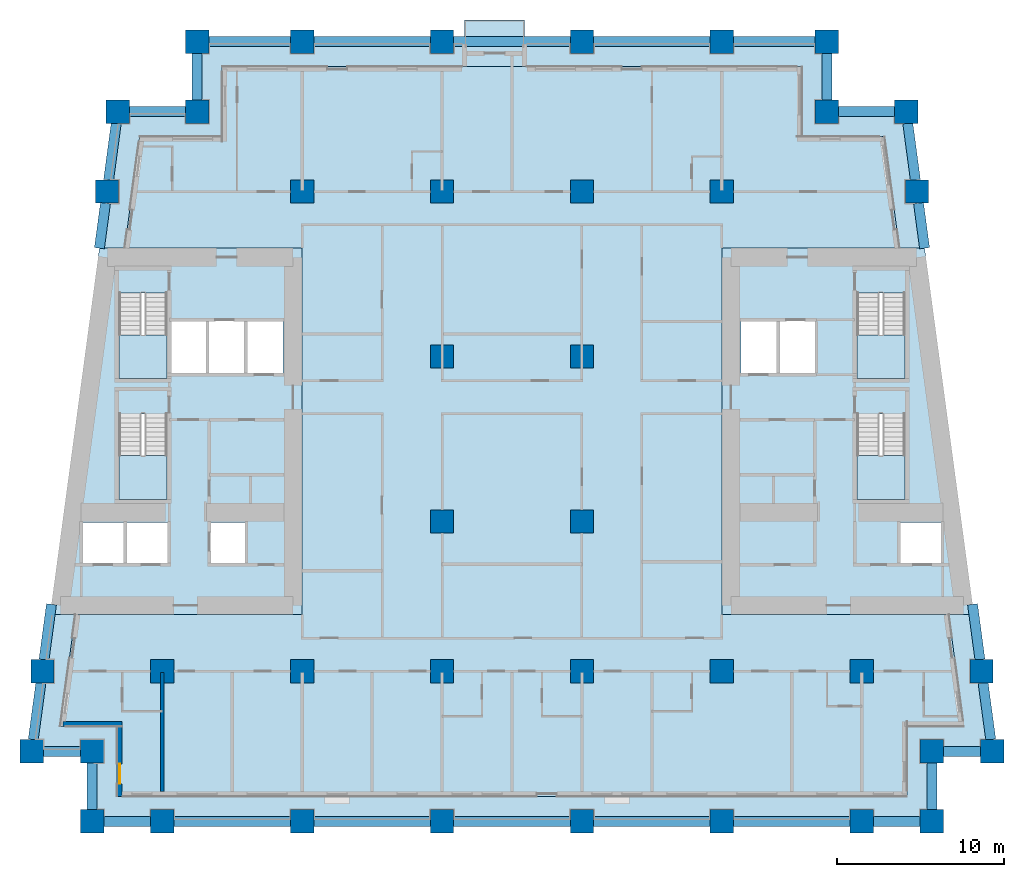
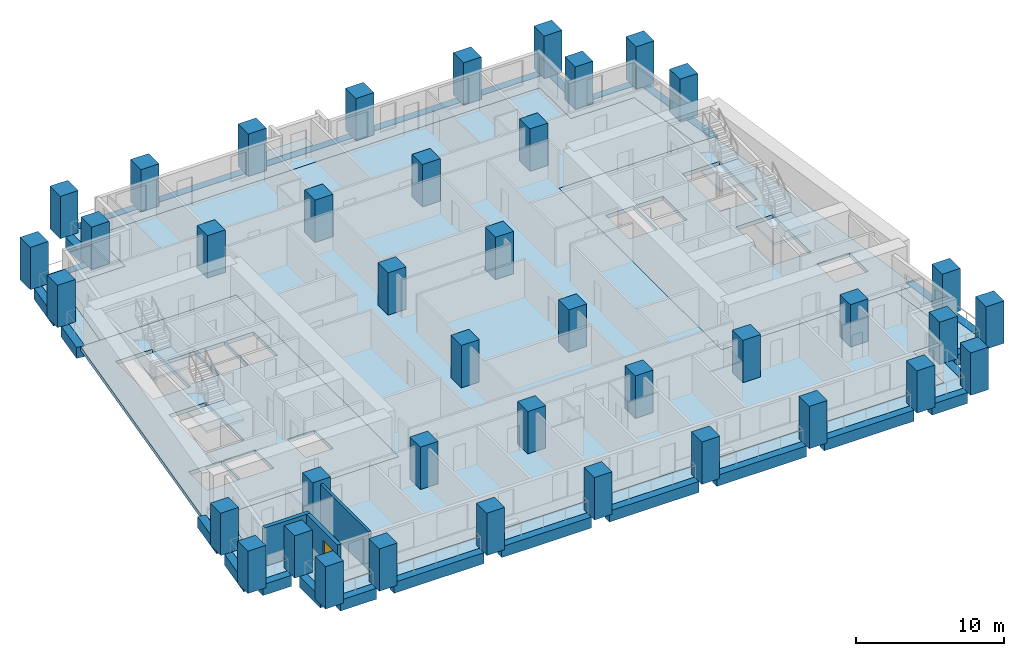
# One storey, part 1 of 12: 40 columns, 28 beams, 10 slabs, 3 walls, 1 door, 1 opening, 4 elements without a shape of their own.
"""IFC4 building model written with IfcOpenShell, lengths in metres."""

import ifcopenshell
import ifcopenshell.guid

model = None  # the IFC model being written
_history = None  # IfcOwnerHistory: only IFC2X3 demands one
_inside = {}  # id of a spatial element -> (the spatial element, [elements in it])
_under = {}  # id of a project, library or spatial element -> (it, [spatial elements below it])
_declared = {}  # id of a project -> (the project, [libraries it declares])
_typed = {}  # id of a type object -> (the type object, [elements of that type])
_made_of = {}  # id of a material, layer set ... -> (it, [elements and type objects made of it])


def new_model(schema):
    """Start an empty IFC model of exactly this schema.

    Asked for "IFC4X3", IfcOpenShell would pick the latest addendum, in which some entities
    have other attributes; the version numbers below select the first issue.
    IFC2X3 requires an IfcOwnerHistory on every rooted entity: one is made here for all.
    """
    global model, _history
    if schema == "IFC4X3":
        model = ifcopenshell.file(schema_version=(4, 3, 0, 0))
    else:
        model = ifcopenshell.file(schema=schema)
    _inside.clear()
    _under.clear()
    _declared.clear()
    _typed.clear()
    _made_of.clear()
    _history = None
    if model.schema == "IFC2X3":
        org = make("IfcOrganization", Name="unknown")
        user = make(
            "IfcPersonAndOrganization",
            ThePerson=make("IfcPerson", FamilyName="unknown"),
            TheOrganization=org,
        )
        app = make(
            "IfcApplication",
            ApplicationDeveloper=org,
            Version="unknown",
            ApplicationFullName="unknown",
            ApplicationIdentifier="unknown",
        )
        _history = make(
            "IfcOwnerHistory",
            OwningUser=user,
            OwningApplication=app,
            ChangeAction="ADDED",
            CreationDate=0,
        )
    return model


def make(cls, **values):
    """One entity of the class cls with the attributes given. An attribute that is None is left unset."""
    return model.create_entity(
        cls, **{name: value for name, value in values.items() if value is not None}
    )


def rooted(cls, **values):
    """An entity with a GlobalId (a new one), such as an element, a storey or a relation."""
    return make(cls, GlobalId=ifcopenshell.guid.new(), OwnerHistory=_history, **values)


def si_unit(unit_type, name, prefix=None):
    """IfcSIUnit, for example si_unit("LENGTHUNIT", "METRE", prefix="MILLI")."""
    return make("IfcSIUnit", UnitType=unit_type, Prefix=prefix, Name=name)


def assignment(units):
    """IfcUnitAssignment: the units of a project."""
    return None if units is None else make("IfcUnitAssignment", Units=units)


def point(xyz):
    """IfcCartesianPoint."""
    return None if xyz is None else make("IfcCartesianPoint", Coordinates=xyz)


def direction(xyz):
    """IfcDirection."""
    return None if xyz is None else make("IfcDirection", DirectionRatios=xyz)


def frame(location, z_axis=None, x_axis=None):
    """IfcAxis2Placement3D, a coordinate frame: its origin and axes. An axis left out is left unset."""
    return make(
        "IfcAxis2Placement3D",
        Location=point(location),
        Axis=direction(z_axis),
        RefDirection=direction(x_axis),
    )


def frame_2d(location, x_axis=None):
    """IfcAxis2Placement2D, a coordinate frame in the plane: its origin and x axis."""
    return make(
        "IfcAxis2Placement2D", Location=point(location), RefDirection=direction(x_axis)
    )


def origin():
    """The frame at (0, 0, 0) with its axes left unset."""
    return frame((0.0, 0.0, 0.0))


def origin_2d():
    """The frame at (0, 0) in the plane with its x axis left unset."""
    return frame_2d((0.0, 0.0))


def place(relative_to, where):
    """IfcLocalPlacement: puts the frame where relative to a parent placement (None: the world)."""
    return make(
        "IfcLocalPlacement", PlacementRelTo=relative_to, RelativePlacement=where
    )


def context(
    kind, dimensions, precision=None, world=None, true_north=None, identifier=None
):
    """IfcGeometricRepresentationContext, for example the 3D "Model" context."""
    return make(
        "IfcGeometricRepresentationContext",
        ContextIdentifier=identifier,
        ContextType=kind,
        CoordinateSpaceDimension=dimensions,
        Precision=precision,
        WorldCoordinateSystem=world,
        TrueNorth=true_north,
    )


def subcontext(parent, identifier, kind, view, scale=None):
    """IfcGeometricRepresentationSubContext, for example "Body" below "Model"."""
    return make(
        "IfcGeometricRepresentationSubContext",
        ContextIdentifier=identifier,
        ContextType=kind,
        ParentContext=parent,
        TargetScale=scale,
        TargetView=view,
    )


def project(units=None, contexts=None):
    """IfcProject with its units and contexts."""
    return rooted(
        "IfcProject",
        Name="project",
        RepresentationContexts=contexts,
        UnitsInContext=assignment(units),
    )


def spatial(cls, under=None, at=None, **own):
    """A site, building, storey or space (cls), placed at a placement, below another one or the project."""
    s = rooted(cls, ObjectPlacement=at, **own)
    if under is not None:
        _under.setdefault(under.id(), (under, []))[1].append(s)
    return s


def polyline(points):
    """IfcPolyline through the points."""
    return make("IfcPolyline", Points=[point(p) for p in points])


def profile(cls, at=None, kind="AREA", **sizes):
    """A parametric profile (cls). Its sizes go by their IFC names, for example OverallWidth=200.0."""
    return make(cls, ProfileType=kind, Position=at, **sizes)


def rectangle(**sizes):
    """IfcRectangleProfileDef."""
    return profile("IfcRectangleProfileDef", **sizes)


def outline(outer, holes=None, kind="AREA"):
    """IfcArbitraryClosedProfileDef: a profile drawn as a closed curve; with holes, ...WithVoids."""
    if holes is None:
        return make("IfcArbitraryClosedProfileDef", ProfileType=kind, OuterCurve=outer)
    return make(
        "IfcArbitraryProfileDefWithVoids",
        ProfileType=kind,
        OuterCurve=outer,
        InnerCurves=holes,
    )


def extrude(swept, where, along, depth):
    """IfcExtrudedAreaSolid: the profile swept, set in the frame where, extruded along a direction by depth."""
    return make(
        "IfcExtrudedAreaSolid",
        SweptArea=swept,
        Position=where,
        ExtrudedDirection=direction(along),
        Depth=depth,
    )


def shape(context_of_items, identifier, shape_type, items):
    """IfcShapeRepresentation: the items that make up one representation, for example the "Body"."""
    return make(
        "IfcShapeRepresentation",
        ContextOfItems=context_of_items,
        RepresentationIdentifier=identifier,
        RepresentationType=shape_type,
        Items=items,
    )


def material(Name=None, Category=None):
    """IfcMaterial."""
    return make("IfcMaterial", Name=Name, Category=Category)


def layer(
    of_material, thickness, ventilated=None, Name=None, Category=None, Priority=None
):
    """IfcMaterialLayer: one layer of a wall or slab, of a material (None: an air gap)."""
    return make(
        "IfcMaterialLayer",
        Material=of_material,
        LayerThickness=thickness,
        IsVentilated=ventilated,
        Name=Name,
        Category=Category,
        Priority=Priority,
    )


def layer_set(layers, Name=None):
    """IfcMaterialLayerSet."""
    return make("IfcMaterialLayerSet", MaterialLayers=layers, LayerSetName=Name)


def material_profile(
    of_material, cross_section, Name=None, Category=None, Priority=None
):
    """IfcMaterialProfile: a cross section and its material."""
    return make(
        "IfcMaterialProfile",
        Name=Name,
        Material=of_material,
        Profile=cross_section,
        Priority=Priority,
        Category=Category,
    )


def profile_set(profiles, Name=None, composite=None):
    """IfcMaterialProfileSet."""
    return make(
        "IfcMaterialProfileSet",
        Name=Name,
        MaterialProfiles=profiles,
        CompositeProfile=composite,
    )


def made_of(thing, what):
    """Note that an element or type object is made of a material, layer set ...; save() writes the relation."""
    if what is not None:
        _made_of.setdefault(what.id(), (what, []))[1].append(thing)
    return thing


def type_object(cls, material=None, **own):
    """A type object (cls), such as IfcWallType, which elements share."""
    return made_of(rooted(cls, **own), material)


def element(
    cls,
    number,
    at=None,
    inside=None,
    cuts=None,
    type_object=None,
    material=None,
    context=None,
    identifier="Body",
    shape_type=None,
    held_by="IfcProductDefinitionShape",
    body=None,
    shapes=None,
    **own,
):
    """One element of the class cls, such as IfcWall. Its Tag is "e" and its number.

    at: its placement. inside: the storey or other place that contains it. cuts: it is an
    opening in that element (IfcRelVoidsElement). A single representation is given by context,
    identifier, shape_type and body (its items); several are given by shapes. held_by: the class
    of the entity that holds the representations. save() writes the other relations.
    """
    e = rooted(cls, Tag="e%d" % number, ObjectPlacement=at, **own)
    if body is not None:
        shapes = [shape(context, identifier, shape_type, body)]
    if shapes is not None:
        e.Representation = make(held_by, Representations=shapes)
    if inside is not None:
        _inside.setdefault(inside.id(), (inside, []))[1].append(e)
    if cuts is not None:
        rooted(
            "IfcRelVoidsElement", RelatingBuildingElement=cuts, RelatedOpeningElement=e
        )
    if type_object is not None:
        _typed.setdefault(type_object.id(), (type_object, []))[1].append(e)
    return made_of(e, material)


def fill(opening, filler):
    """IfcRelFillsElement: the door or window that sits in an opening."""
    return rooted(
        "IfcRelFillsElement",
        RelatingOpeningElement=opening,
        RelatedBuildingElement=filler,
    )


def aggregate(whole, parts):
    """IfcRelAggregates: a whole, such as a stair, and the parts it consists of."""
    return rooted("IfcRelAggregates", RelatingObject=whole, RelatedObjects=parts)


def save(model, path):
    """Write the relations noted so far, then the file.

    IfcRelAggregates (storeys below a building ...), IfcRelContainedInSpatialStructure (elements
    in a storey), IfcRelDefinesByType, IfcRelAssociatesMaterial and IfcRelDeclares: one each for
    every whole, place, type object, material and project.
    """
    for whole, parts in _under.values():
        aggregate(whole, parts)
    for where, things in _inside.values():
        rooted(
            "IfcRelContainedInSpatialStructure",
            RelatedElements=things,
            RelatingStructure=where,
        )
    for kind, things in _typed.values():
        rooted("IfcRelDefinesByType", RelatedObjects=things, RelatingType=kind)
    for what, things in _made_of.values():
        rooted("IfcRelAssociatesMaterial", RelatedObjects=things, RelatingMaterial=what)
    for by, libraries in _declared.values():
        rooted("IfcRelDeclares", RelatingContext=by, RelatedDefinitions=libraries)
    model.write(path)


model = new_model("IFC4")

# Units and contexts
model_context = context("Model", 3, precision=1e-05, world=origin(), true_north=direction((0.0, 1.0)))
body_context = subcontext(model_context, "Body", "Model", "MODEL_VIEW")
ifc_project = project(units=[si_unit("LENGTHUNIT", "METRE"), si_unit("AREAUNIT", "SQUARE_METRE"), si_unit("VOLUMEUNIT", "CUBIC_METRE"), si_unit("PLANEANGLEUNIT", "RADIAN"), si_unit("MASSUNIT", "GRAM", prefix="KILO")], contexts=[model_context])

# Site, building, storey
site_placement = place(None, origin())
site = spatial("IfcSite", under=ifc_project, at=site_placement, CompositionType="ELEMENT")
building_placement = place(site_placement, origin())
building = spatial("IfcBuilding", under=site, at=building_placement, Name="Candeia Pilgrim Tower and Theatre", CompositionType="ELEMENT")
storey_placement = place(building_placement, frame((0.0, 0.0, 46.0)))
storey = spatial("IfcBuildingStorey", under=building, at=storey_placement, Name="L08", CompositionType="ELEMENT", Elevation=46.0)

# Columns
ifc_material_1 = material(Name="Concrete C80/95", Category="concrete")
ifc_material_profile_1 = material_profile(ifc_material_1, rectangle(XDim=1.39990234375, YDim=1.39990234375, at=origin_2d()))
ifc_profile_set_1 = profile_set([ifc_material_profile_1], Name="Concrete C80/95")
column_type = type_object("IfcColumnType", Name="RC 1400x1400 C80/95", PredefinedType="COLUMN", material=ifc_profile_set_1)
for number, where, z_axis, x_axis, name in (
    (1, (92.39990234375, 98.0, 0.0), (0.0, 0.0, 1.0), (1.0, 0.0, 0.0), "Column A1"),
    (2, (100.800048828125, 98.0, 0.0), (0.0, 0.0, 1.0), (1.0, 0.0, 0.0), "Column A2"),
    (3, (109.199951171875, 98.0, 0.0), (0.0, 0.0, 1.0), (1.0, 0.0, 0.0), "Column A3"),
    (4, (117.60009765625, 98.0, 0.0), (0.0, 0.0, 1.0), (1.0, 0.0, 0.0), "Column A4"),
    (5, (126.0, 98.0, 0.0), (0.0, 0.0, 1.0), (1.0, 0.0, 0.0), "Column A5"),
    (6, (134.39990234375, 98.0, 0.0), (0.0, 0.0, 1.0), (1.0, 0.0, 0.0), "Column A6"),
    (7, (88.199951171875, 98.0, 0.0), (0.0, 0.0, 1.0), (1.0, 0.0, 0.0), "Column AW"),
    (8, (138.60009765625, 98.0, 0.0), (0.0, 0.0, 1.0), (1.0, 0.0, 0.0), "Column AE"),
    (9, (88.199951171875, 102.199951171875, 0.0), (0.0, 0.0, 1.0), (1.0, 0.0, 0.0), "Column NSW"),
    (10, (138.60009765625, 102.199951171875, 0.0), (0.0, 0.0, 1.0), (1.0, 0.0, 0.0), "Column NSE"),
    (11, (94.5, 140.60009765625, 0.0), (0.0, 0.0, 1.0), (1.0, 0.0, 0.0), "Column NNW"),
    (12, (132.300048828125, 140.60009765625, 0.0), (0.0, 0.0, 1.0), (1.0, 0.0, 0.0), "Column NNE"),
    (13, (84.5654296875, 102.199951171875, 0.0), (0.0, 0.0, 1.0), (1.0, 0.0, 0.0), "Column LSW"),
    (14, (142.234619140625, 102.199951171875, 0.0), (0.0, 0.0, 1.0), (1.0, 0.0, 0.0), "Column LSE"),
    (15, (89.734619140625, 140.60009765625, 0.0), (0.0, 0.0, 1.0), (1.0, 0.0, 0.0), "Column LNW"),
    (16, (137.0654296875, 140.60009765625, 0.0), (0.0, 0.0, 1.0), (1.0, 0.0, 0.0), "Column LNE"),
    (17, (92.39990234375, 107.0, 0.0), (0.0, 0.0, 1.0), (1.0, 0.0, 0.0), "Column B1"),
    (18, (100.800048828125, 107.0, 0.0), (0.0, 0.0, 1.0), (1.0, 0.0, 0.0), "Column B2"),
    (19, (109.199951171875, 107.0, 0.0), (0.0, 0.0, 1.0), (1.0, 0.0, 0.0), "Column B3"),
    (20, (117.60009765625, 107.0, 0.0), (0.0, 0.0, 1.0), (1.0, 0.0, 0.0), "Column B4"),
    (21, (126.0, 107.0, 0.0), (0.0, 0.0, 1.0), (1.0, 0.0, 0.0), "Column B5"),
    (22, (134.39990234375, 107.0, 0.0), (0.0, 0.0, 1.0), (1.0, 0.0, 0.0), "Column B6"),
    (23, (85.21142578125, 107.0, 0.0), (0.0, 0.0, 1.0), (1.0, 0.0, 0.0), "Column BW"),
    (24, (141.58837890625, 107.0, 0.0), (0.0, 0.0, 1.0), (1.0, 0.0, 0.0), "Column BE"),
    (25, (109.199951171875, 116.0, 0.0), (0.0, 0.0, 1.0), (1.0, 0.0, 0.0), "Column C3"),
    (26, (117.60009765625, 116.0, 0.0), (0.0, 0.0, 1.0), (1.0, 0.0, 0.0), "Column C4"),
    (27, (109.199951171875, 125.89990234375, 0.0), (0.0, 0.0, 1.0), (1.0, 0.0, 0.0), "Column D3"),
    (28, (117.60009765625, 125.89990234375, 0.0), (0.0, 0.0, 1.0), (1.0, 0.0, 0.0), "Column D4"),
    (29, (100.800048828125, 135.800048828125, 0.0), (0.0, 0.0, 1.0), (1.0, 0.0, 0.0), "Column E2"),
    (30, (109.199951171875, 135.800048828125, 0.0), (0.0, 0.0, 1.0), (1.0, 0.0, 0.0), "Column E3"),
    (31, (117.60009765625, 135.800048828125, 0.0), (0.0, 0.0, 1.0), (1.0, 0.0, 0.0), "Column E4"),
    (32, (126.0, 135.800048828125, 0.0), (0.0, 0.0, 1.0), (1.0, 0.0, 0.0), "Column E5"),
    (33, (89.08837890625, 135.800048828125, 0.0), (0.0, 0.0, 1.0), (1.0, 0.0, 0.0), "Column EW"),
    (34, (137.71142578125, 135.800048828125, 0.0), (0.0, 0.0, 1.0), (1.0, 0.0, 0.0), "Column EE"),
    (35, (100.800048828125, 144.800048828125, 0.0), (0.0, 0.0, 1.0), (1.0, 0.0, 0.0), "Column F2"),
    (36, (109.199951171875, 144.800048828125, 0.0), (0.0, 0.0, 1.0), (1.0, 0.0, 0.0), "Column F3"),
    (37, (117.60009765625, 144.800048828125, 0.0), (0.0, 0.0, 1.0), (1.0, 0.0, 0.0), "Column F4"),
    (38, (126.0, 144.800048828125, 0.0), (0.0, 0.0, 1.0), (1.0, 0.0, 0.0), "Column F5"),
    (39, (94.5, 144.800048828125, 0.0), (0.0, 0.0, 1.0), (1.0, 0.0, 0.0), "Column FW"),
    (40, (132.300048828125, 144.800048828125, 0.0), (0.0, 0.0, 1.0), (1.0, 0.0, 0.0), "Column FE"),
):
    element("IfcColumn", number, at=place(storey_placement, frame(where, z_axis=z_axis, x_axis=x_axis)), inside=storey, type_object=column_type, Name=name, PredefinedType="COLUMN", context=body_context, shape_type="SweptSolid", body=[
        extrude(rectangle(XDim=1.39990234375, YDim=1.39990234375, at=origin_2d()), origin(), (0.0, 0.0, 1.0), 3.5),
    ])

# Beams
ifc_material_profile_2 = material_profile(ifc_material_1, rectangle(XDim=0.60009765625, YDim=0.89990234375, at=origin_2d()))
ifc_profile_set_2 = profile_set([ifc_material_profile_2], Name="Concrete C80/95")
beam_type = type_object("IfcBeamType", Name="RC 600x900 C80/95", PredefinedType="BEAM", material=ifc_profile_set_2)
beam_1_placement = place(storey_placement, frame((88.89990234375, 98.0, -0.449951171875), z_axis=(1.0, 0.0, 0.0), x_axis=(0.0, 1.0, 0.0)))
element("IfcBeam", 41, at=beam_1_placement, inside=storey, type_object=beam_type, Name="Spandrel beam L08-01", PredefinedType="BEAM", context=body_context, shape_type="SweptSolid", body=[
    extrude(rectangle(XDim=0.60009765625, YDim=0.89990234375, at=origin_2d()), origin(), (0.0, 0.0, 1.0), 2.800048828125),
])
for number, where, z_axis, x_axis, name in (
    (42, (93.10009765625, 98.0, -0.449951171875), (1.0, 0.0, 0.0), (0.0, 1.0, 0.0), "Spandrel beam L08-02"),
    (43, (101.5, 98.0, -0.449951171875), (1.0, 0.0, 0.0), (0.0, 1.0, 0.0), "Spandrel beam L08-03"),
    (44, (109.89990234375, 98.0, -0.449951171875), (1.0, 0.0, 0.0), (0.0, 1.0, 0.0), "Spandrel beam L08-04"),
    (45, (118.300048828125, 98.0, -0.449951171875), (1.0, 0.0, 0.0), (0.0, 1.0, 0.0), "Spandrel beam L08-05"),
    (46, (126.699951171875, 98.0, -0.449951171875), (1.0, 0.0, 0.0), (0.0, 1.0, 0.0), "Spandrel beam L08-06"),
):
    element("IfcBeam", number, at=place(storey_placement, frame(where, z_axis=z_axis, x_axis=x_axis)), inside=storey, type_object=beam_type, Name=name, PredefinedType="BEAM", context=body_context, shape_type="SweptSolid", body=[
        extrude(rectangle(XDim=0.60009765625, YDim=0.89990234375, at=origin_2d()), origin(), (0.0, 0.0, 1.0), 7.0),
    ])
beam_2_placement = place(storey_placement, frame((135.10009765625, 98.0, -0.449951171875), z_axis=(1.0, 0.0, 0.0), x_axis=(0.0, 1.0, 0.0)))
element("IfcBeam", 47, at=beam_2_placement, inside=storey, type_object=beam_type, Name="Spandrel beam L08-07", PredefinedType="BEAM", context=body_context, shape_type="SweptSolid", body=[
    extrude(rectangle(XDim=0.60009765625, YDim=0.89990234375, at=origin_2d()), origin(), (0.0, 0.0, 1.0), 2.7998046875),
])
beam_3_placement = place(storey_placement, frame((138.60009765625, 98.699951171875, -0.449951171875), z_axis=(0.0, 1.0, 0.0), x_axis=(-1.0, 0.0, 0.0)))
element("IfcBeam", 48, at=beam_3_placement, inside=storey, type_object=beam_type, Name="Spandrel beam L08-08", PredefinedType="BEAM", context=body_context, shape_type="SweptSolid", body=[
    extrude(rectangle(XDim=0.60009765625, YDim=0.89990234375, at=origin_2d()), origin(), (0.0, 0.0, 1.0), 2.800048828125),
])
beam_4_placement = place(storey_placement, frame((139.300048828125, 102.199951171875, -0.449951171875), z_axis=(1.0, 0.0, 0.0), x_axis=(0.0, 1.0, 0.0)))
element("IfcBeam", 49, at=beam_4_placement, inside=storey, type_object=beam_type, Name="Spandrel beam L08-09", PredefinedType="BEAM", context=body_context, shape_type="SweptSolid", body=[
    extrude(rectangle(XDim=0.60009765625, YDim=0.89990234375, at=origin_2d()), origin(), (0.0, 0.0, 1.0), 2.234619140625),
])
beam_5_placement = place(storey_placement, frame((142.140380859375, 102.89990234375, -0.449951171875), z_axis=(-0.133426797477, 0.991058671177, 0.0), x_axis=(-0.991058671177, -0.133426797477, 0.0)))
element("IfcBeam", 50, at=beam_5_placement, inside=storey, type_object=beam_type, Name="Spandrel beam L08-10", PredefinedType="BEAM", context=body_context, shape_type="SweptSolid", body=[
    extrude(rectangle(XDim=0.60009765625, YDim=0.89990234375, at=origin_2d()), origin(), (0.0, 0.0, 1.0), 3.430908203125),
])
beam_6_placement = place(storey_placement, frame((141.494140625, 107.699951171875, -0.449951171875), z_axis=(-0.13337488337, 0.991065659019, 0.0), x_axis=(-0.991065659019, -0.13337488337, 0.0)))
element("IfcBeam", 51, at=beam_6_placement, inside=storey, type_object=beam_type, Name="Spandrel beam L08-11", PredefinedType="BEAM", context=body_context, shape_type="SweptSolid", body=[
    extrude(rectangle(XDim=0.60009765625, YDim=0.89990234375, at=origin_2d()), origin(), (0.0, 0.0, 1.0), 3.353515625),
])
beam_7_placement = place(storey_placement, frame((138.169189453125, 132.39990234375, -0.449951171875), z_axis=(-0.133425552527, 0.991058838784, 0.0), x_axis=(-0.991058838784, -0.133425552527, 0.0)))
element("IfcBeam", 52, at=beam_7_placement, inside=storey, type_object=beam_type, Name="Spandrel beam L08-12", PredefinedType="BEAM", context=body_context, shape_type="SweptSolid", body=[
    extrude(rectangle(XDim=0.60009765625, YDim=0.89990234375, at=origin_2d()), origin(), (0.0, 0.0, 1.0), 2.724609375),
])
beam_8_placement = place(storey_placement, frame((137.6171875, 136.5, -0.449951171875), z_axis=(-0.13336630817, 0.991066813008, 0.0), x_axis=(-0.991066813008, -0.13336630817, 0.0)))
element("IfcBeam", 53, at=beam_8_placement, inside=storey, type_object=beam_type, Name="Spandrel beam L08-13", PredefinedType="BEAM", context=body_context, shape_type="SweptSolid", body=[
    extrude(rectangle(XDim=0.60009765625, YDim=0.89990234375, at=origin_2d()), origin(), (0.0, 0.0, 1.0), 3.4306640625),
])
beam_9_placement = place(storey_placement, frame((136.365478515625, 140.60009765625, -0.449951171875), z_axis=(-1.0, 0.0, 0.0), x_axis=(0.0, -1.0, 0.0)))
element("IfcBeam", 54, at=beam_9_placement, inside=storey, type_object=beam_type, Name="Spandrel beam L08-14", PredefinedType="BEAM", context=body_context, shape_type="SweptSolid", body=[
    extrude(rectangle(XDim=0.60009765625, YDim=0.89990234375, at=origin_2d()), origin(), (0.0, 0.0, 1.0), 3.365478515625),
])
beam_10_placement = place(storey_placement, frame((132.300048828125, 141.300048828125, -0.449951171875), z_axis=(0.0, 1.0, 0.0), x_axis=(-1.0, 0.0, 0.0)))
element("IfcBeam", 55, at=beam_10_placement, inside=storey, type_object=beam_type, Name="Spandrel beam L08-15", PredefinedType="BEAM", context=body_context, shape_type="SweptSolid", body=[
    extrude(rectangle(XDim=0.60009765625, YDim=0.89990234375, at=origin_2d()), origin(), (0.0, 0.0, 1.0), 2.800048828125),
])
beam_11_placement = place(storey_placement, frame((131.60009765625, 144.800048828125, -0.449951171875), z_axis=(-1.0, 0.0, 0.0), x_axis=(0.0, -1.0, 0.0)))
element("IfcBeam", 56, at=beam_11_placement, inside=storey, type_object=beam_type, Name="Spandrel beam L08-16", PredefinedType="BEAM", context=body_context, shape_type="SweptSolid", body=[
    extrude(rectangle(XDim=0.60009765625, YDim=0.89990234375, at=origin_2d()), origin(), (0.0, 0.0, 1.0), 4.900146484375),
])
for number, where, z_axis, x_axis, name in (
    (57, (125.300048828125, 144.800048828125, -0.449951171875), (-1.0, 0.0, 0.0), (0.0, -1.0, 0.0), "Spandrel beam L08-17"),
    (58, (116.89990234375, 144.800048828125, -0.449951171875), (-1.0, 0.0, 0.0), (0.0, -1.0, 0.0), "Spandrel beam L08-18"),
    (59, (108.5, 144.800048828125, -0.449951171875), (-1.0, 0.0, 0.0), (0.0, -1.0, 0.0), "Spandrel beam L08-19"),
):
    element("IfcBeam", number, at=place(storey_placement, frame(where, z_axis=z_axis, x_axis=x_axis)), inside=storey, type_object=beam_type, Name=name, PredefinedType="BEAM", context=body_context, shape_type="SweptSolid", body=[
        extrude(rectangle(XDim=0.60009765625, YDim=0.89990234375, at=origin_2d()), origin(), (0.0, 0.0, 1.0), 7.0),
    ])
beam_12_placement = place(storey_placement, frame((100.10009765625, 144.800048828125, -0.449951171875), z_axis=(-1.0, 0.0, 0.0), x_axis=(0.0, -1.0, 0.0)))
element("IfcBeam", 60, at=beam_12_placement, inside=storey, type_object=beam_type, Name="Spandrel beam L08-20", PredefinedType="BEAM", context=body_context, shape_type="SweptSolid", body=[
    extrude(rectangle(XDim=0.60009765625, YDim=0.89990234375, at=origin_2d()), origin(), (0.0, 0.0, 1.0), 4.900146484375),
])
beam_13_placement = place(storey_placement, frame((94.5, 144.10009765625, -0.449951171875), z_axis=(0.0, -1.0, 0.0), x_axis=(1.0, 0.0, 0.0)))
element("IfcBeam", 61, at=beam_13_placement, inside=storey, type_object=beam_type, Name="Spandrel beam L08-21", PredefinedType="BEAM", context=body_context, shape_type="SweptSolid", body=[
    extrude(rectangle(XDim=0.60009765625, YDim=0.89990234375, at=origin_2d()), origin(), (0.0, 0.0, 1.0), 2.800048828125),
])
beam_14_placement = place(storey_placement, frame((93.800048828125, 140.60009765625, -0.449951171875), z_axis=(-1.0, 0.0, 0.0), x_axis=(0.0, -1.0, 0.0)))
element("IfcBeam", 62, at=beam_14_placement, inside=storey, type_object=beam_type, Name="Spandrel beam L08-22", PredefinedType="BEAM", context=body_context, shape_type="SweptSolid", body=[
    extrude(rectangle(XDim=0.60009765625, YDim=0.89990234375, at=origin_2d()), origin(), (0.0, 0.0, 1.0), 3.365478515625),
])
beam_15_placement = place(storey_placement, frame((89.640380859375, 139.89990234375, -0.449951171875), z_axis=(-0.133436208017, -0.991057404185, 0.0), x_axis=(0.991057404185, -0.133436208017, 0.0)))
element("IfcBeam", 63, at=beam_15_placement, inside=storey, type_object=beam_type, Name="Spandrel beam L08-23", PredefinedType="BEAM", context=body_context, shape_type="SweptSolid", body=[
    extrude(rectangle(XDim=0.60009765625, YDim=0.89990234375, at=origin_2d()), origin(), (0.0, 0.0, 1.0), 3.4306640625),
])
beam_16_placement = place(storey_placement, frame((88.994140625, 135.10009765625, -0.449951171875), z_axis=(-0.133337538686, -0.991070684047, 0.0), x_axis=(0.991070684047, -0.133337538686, 0.0)))
element("IfcBeam", 64, at=beam_16_placement, inside=storey, type_object=beam_type, Name="Spandrel beam L08-24", PredefinedType="BEAM", context=body_context, shape_type="SweptSolid", body=[
    extrude(rectangle(XDim=0.60009765625, YDim=0.89990234375, at=origin_2d()), origin(), (0.0, 0.0, 1.0), 2.724609375),
])
beam_17_placement = place(storey_placement, frame((85.753173828125, 111.0234375, -0.449951171875), z_axis=(-0.133446390132, -0.991056033209, 0.0), x_axis=(0.991056033209, -0.133446390132, 0.0)))
element("IfcBeam", 65, at=beam_17_placement, inside=storey, type_object=beam_type, Name="Spandrel beam L08-25", PredefinedType="BEAM", context=body_context, shape_type="SweptSolid", body=[
    extrude(rectangle(XDim=0.60009765625, YDim=0.89990234375, at=origin_2d()), origin(), (0.0, 0.0, 1.0), 3.353515625),
])
beam_18_placement = place(storey_placement, frame((85.1171875, 106.300048828125, -0.449951171875), z_axis=(-0.133356902381, -0.991068078685, 0.0), x_axis=(0.991068078685, -0.133356902381, 0.0)))
element("IfcBeam", 66, at=beam_18_placement, inside=storey, type_object=beam_type, Name="Spandrel beam L08-26", PredefinedType="BEAM", context=body_context, shape_type="SweptSolid", body=[
    extrude(rectangle(XDim=0.60009765625, YDim=0.89990234375, at=origin_2d()), origin(), (0.0, 0.0, 1.0), 3.430908203125),
])
beam_19_placement = place(storey_placement, frame((85.265380859375, 102.199951171875, -0.449951171875), z_axis=(1.0, 0.0, 0.0), x_axis=(0.0, 1.0, 0.0)))
element("IfcBeam", 67, at=beam_19_placement, inside=storey, type_object=beam_type, Name="Spandrel beam L08-27", PredefinedType="BEAM", context=body_context, shape_type="SweptSolid", body=[
    extrude(rectangle(XDim=0.60009765625, YDim=0.89990234375, at=origin_2d()), origin(), (0.0, 0.0, 1.0), 2.234619140625),
])
beam_20_placement = place(storey_placement, frame((88.199951171875, 101.5, -0.449951171875), z_axis=(0.0, -1.0, 0.0), x_axis=(1.0, 0.0, 0.0)))
element("IfcBeam", 68, at=beam_20_placement, inside=storey, type_object=beam_type, Name="Spandrel beam L08-28", PredefinedType="BEAM", context=body_context, shape_type="SweptSolid", body=[
    extrude(rectangle(XDim=0.60009765625, YDim=0.89990234375, at=origin_2d()), origin(), (0.0, 0.0, 1.0), 2.800048828125),
])

# Slabs
ifc_material_2 = material(Name="Concrete C40/50", Category="concrete")
ifc_layer_1 = layer(ifc_material_2, 0.25)
ifc_layer_set_1 = layer_set([ifc_layer_1], Name="BK1 balcony slab 250")
slab_type_1 = type_object("IfcSlabType", Name="BK1 balcony slab 250", PredefinedType="USERDEFINED", material=ifc_layer_set_1)
slab_1_placement = place(storey_placement, frame((0.0, 0.0, -0.25)))
element("IfcSlab", 69, at=slab_1_placement, inside=storey, type_object=slab_type_1, Name="Balcony L08", ObjectType="BALCONY", PredefinedType="USERDEFINED", context=body_context, shape_type="SweptSolid", body=[
    extrude(outline(polyline([(110.550048828125, 144.5), (114.14990234375, 144.5), (114.14990234375, 146.10009765625), (110.550048828125, 146.10009765625), (110.550048828125, 144.5)])), origin(), (0.0, 0.0, 1.0), 0.25),
])
ifc_material_3 = material(Name="Concrete C60/75", Category="concrete")
ifc_layer_2 = layer(ifc_material_3, 0.320068359375)
ifc_layer_set_2 = layer_set([ifc_layer_2], Name="FS-CORE 320 core floor")
slab_type_2 = type_object("IfcSlabType", Name="FS-CORE 320 core floor", PredefinedType="FLOOR", material=ifc_layer_set_2)
slab_2_placement = place(storey_placement, frame((0.0, 0.0, -0.320068359375)))
element("IfcSlab", 70, at=slab_2_placement, inside=storey, type_object=slab_type_2, Name="Core floor W L08", PredefinedType="FLOOR", context=body_context, shape_type="SweptSolid", body=[
    extrude(outline(polyline([(100.800048828125, 132.39990234375), (100.800048828125, 110.39990234375), (85.669189453125, 110.39990234375), (88.630859375, 132.39990234375), (100.800048828125, 132.39990234375)]), holes=[polyline([(97.458984375, 128.050048828125), (97.458984375, 124.85009765625), (99.64990234375, 124.85009765625), (99.64990234375, 128.050048828125), (97.458984375, 128.050048828125)]), polyline([(95.277099609375, 115.949951171875), (95.277099609375, 113.449951171875), (97.41357421875, 113.449951171875), (97.41357421875, 115.949951171875), (95.277099609375, 115.949951171875)]), polyline([(95.16796875, 128.050048828125), (95.16796875, 124.85009765625), (97.35888671875, 124.85009765625), (97.35888671875, 128.050048828125), (95.16796875, 128.050048828125)]), polyline([(92.876953125, 128.050048828125), (92.876953125, 124.85009765625), (95.068115234375, 124.85009765625), (95.068115234375, 128.050048828125), (92.876953125, 128.050048828125)]), polyline([(90.228515625, 115.949951171875), (90.228515625, 113.449951171875), (92.777099609375, 113.449951171875), (92.777099609375, 115.949951171875), (90.228515625, 115.949951171875)]), polyline([(89.802001953125, 122.455078125), (89.802001953125, 117.324951171875), (92.701904296875, 117.324951171875), (92.701904296875, 122.455078125), (89.802001953125, 122.455078125)]), polyline([(89.802001953125, 129.705078125), (89.802001953125, 124.574951171875), (92.701904296875, 124.574951171875), (92.701904296875, 129.705078125), (89.802001953125, 129.705078125)]), polyline([(87.580078125, 115.949951171875), (87.580078125, 113.449951171875), (90.12841796875, 113.449951171875), (90.12841796875, 115.949951171875), (87.580078125, 115.949951171875)])]), origin(), (0.0, 0.0, 1.0), 0.320068359375),
])
slab_3_placement = place(storey_placement, frame((0.0, 0.0, -0.320068359375)))
element("IfcSlab", 71, at=slab_3_placement, inside=storey, type_object=slab_type_2, Name="Core floor E L08", PredefinedType="FLOOR", context=body_context, shape_type="SweptSolid", body=[
    extrude(outline(polyline([(138.169189453125, 132.39990234375), (141.130859375, 110.39990234375), (126.0, 110.39990234375), (126.0, 132.39990234375), (138.169189453125, 132.39990234375)]), holes=[polyline([(136.67138671875, 115.949951171875), (136.67138671875, 113.449951171875), (139.219970703125, 113.449951171875), (139.219970703125, 115.949951171875), (136.67138671875, 115.949951171875)]), polyline([(134.097900390625, 117.324951171875), (136.998046875, 117.324951171875), (136.998046875, 122.455078125), (134.097900390625, 122.455078125), (134.097900390625, 117.324951171875)]), polyline([(134.097900390625, 129.705078125), (134.097900390625, 124.574951171875), (136.998046875, 124.574951171875), (136.998046875, 129.705078125), (134.097900390625, 129.705078125)]), polyline([(131.632080078125, 128.050048828125), (129.44091796875, 128.050048828125), (129.44091796875, 124.85009765625), (131.632080078125, 124.85009765625), (131.632080078125, 128.050048828125)]), polyline([(127.14990234375, 128.050048828125), (127.14990234375, 124.85009765625), (129.341064453125, 124.85009765625), (129.341064453125, 128.050048828125), (127.14990234375, 128.050048828125)])]), origin(), (0.0, 0.0, 1.0), 0.320068359375),
])
ifc_material_4 = material(Name="Concrete C50/60", Category="concrete")
ifc_layer_3 = layer(ifc_material_4, 0.320068359375)
ifc_layer_set_3 = layer_set([ifc_layer_3], Name="Floor slab 320 C50/60")
slab_type_3 = type_object("IfcSlabType", Name="Floor slab 320 C50/60", PredefinedType="FLOOR", material=ifc_layer_set_3)
slab_4_placement = place(storey_placement, frame((0.0, 0.0, -0.320068359375)))
element("IfcSlab", 72, at=slab_4_placement, inside=storey, type_object=slab_type_3, Name="Floor slab L08", PredefinedType="FLOOR", context=body_context, shape_type="SweptSolid", body=[
    extrude(outline(polyline([(96.0, 139.10009765625), (96.0, 143.300048828125), (130.800048828125, 143.300048828125), (130.800048828125, 139.10009765625), (135.753662109375, 139.10009765625), (136.65576171875, 132.39990234375), (126.0, 132.39990234375), (126.0, 110.39990234375), (139.6171875, 110.39990234375), (140.51904296875, 103.699951171875), (137.10009765625, 103.699951171875), (137.10009765625, 99.5), (89.699951171875, 99.5), (89.699951171875, 103.699951171875), (86.28076171875, 103.699951171875), (87.182861328125, 110.39990234375), (100.800048828125, 110.39990234375), (100.800048828125, 132.39990234375), (90.144287109375, 132.39990234375), (91.046142578125, 139.10009765625), (96.0, 139.10009765625)])), origin(), (0.0, 0.0, 1.0), 0.320068359375),
])
ifc_layer_4 = layer(ifc_material_2, 0.25)
ifc_layer_set_4 = layer_set([ifc_layer_4], Name="Loggia slab 250 C40/50")
slab_type_4 = type_object("IfcSlabType", Name="Loggia slab 250 C40/50", PredefinedType="FLOOR", material=ifc_layer_set_4)
slab_5_placement = place(storey_placement, frame((0.0, 0.0, -0.25)))
element("IfcSlab", 73, at=slab_5_placement, inside=storey, type_object=slab_type_4, Name="Loggia slab L08 1", PredefinedType="FLOOR", context=body_context, shape_type="SweptSolid", body=[
    extrude(outline(polyline([(87.182861328125, 110.39990234375), (86.28076171875, 103.699951171875), (89.699951171875, 103.699951171875), (89.699951171875, 99.5), (137.10009765625, 99.5), (137.10009765625, 103.699951171875), (140.51904296875, 103.699951171875), (139.6171875, 110.39990234375), (140.828125, 110.39990234375), (141.8916015625, 102.5), (138.300048828125, 102.5), (138.300048828125, 98.300048828125), (88.5, 98.300048828125), (88.5, 102.5), (84.908447265625, 102.5), (85.971923828125, 110.39990234375), (87.182861328125, 110.39990234375)])), origin(), (0.0, 0.0, 1.0), 0.25),
])
slab_6_placement = place(storey_placement, frame((0.0, 0.0, -0.25)))
element("IfcSlab", 74, at=slab_6_placement, inside=storey, type_object=slab_type_4, Name="Loggia slab L08 2", PredefinedType="FLOOR", context=body_context, shape_type="SweptSolid", body=[
    extrude(outline(polyline([(136.65576171875, 132.39990234375), (135.753662109375, 139.10009765625), (130.800048828125, 139.10009765625), (130.800048828125, 143.300048828125), (96.0, 143.300048828125), (96.0, 139.10009765625), (91.046142578125, 139.10009765625), (90.144287109375, 132.39990234375), (88.93359375, 132.39990234375), (89.996826171875, 140.300048828125), (94.800048828125, 140.300048828125), (94.800048828125, 144.5), (132.0, 144.5), (132.0, 140.300048828125), (136.802978515625, 140.300048828125), (137.866455078125, 132.39990234375), (136.65576171875, 132.39990234375)])), origin(), (0.0, 0.0, 1.0), 0.25),
])

# Stair, slab
stair_type = type_object("IfcStairType", Name="ST-TWR dog-leg escape stair", PredefinedType="HALF_TURN_STAIR", material=ifc_material_2)
stair_1_placement = place(storey_placement, origin())
stair_1 = element("IfcStair", 75, at=stair_1_placement, inside=storey, type_object=stair_type, Name="L08 Escape stair ST1", PredefinedType="HALF_TURN_STAIR")
ifc_layer_5 = layer(ifc_material_2, 0.199951171875)
ifc_layer_set_5 = layer_set([ifc_layer_5], Name="SL-LANDING stair landing")
slab_type_5 = type_object("IfcSlabType", Name="SL-LANDING stair landing", PredefinedType="LANDING", material=ifc_layer_set_5)
slab_7_placement = place(storey_placement, frame((0.0, 0.0, 1.550048828125)))
slab_7 = element("IfcSlab", 76, at=slab_7_placement, type_object=slab_type_5, Name="ST1 landing 1", PredefinedType="LANDING", context=body_context, shape_type="SweptSolid", body=[
    extrude(outline(polyline([(89.802001953125, 119.955078125), (89.802001953125, 117.324951171875), (92.701904296875, 117.324951171875), (92.701904296875, 119.955078125), (89.802001953125, 119.955078125)])), origin(), (0.0, 0.0, 1.0), 0.199951171875),
])
aggregate(stair_1, [slab_7])

stair_2_placement = place(storey_placement, origin())
stair_2 = element("IfcStair", 77, at=stair_2_placement, inside=storey, type_object=stair_type, Name="L08 Escape stair ST2", PredefinedType="HALF_TURN_STAIR")
slab_8_placement = place(storey_placement, frame((0.0, 0.0, 1.550048828125)))
slab_8 = element("IfcSlab", 78, at=slab_8_placement, type_object=slab_type_5, Name="ST2 landing 1", PredefinedType="LANDING", context=body_context, shape_type="SweptSolid", body=[
    extrude(outline(polyline([(89.802001953125, 127.205078125), (89.802001953125, 124.574951171875), (92.701904296875, 124.574951171875), (92.701904296875, 127.205078125), (89.802001953125, 127.205078125)])), origin(), (0.0, 0.0, 1.0), 0.199951171875),
])
aggregate(stair_2, [slab_8])

stair_3_placement = place(storey_placement, origin())
stair_3 = element("IfcStair", 79, at=stair_3_placement, inside=storey, type_object=stair_type, Name="L08 Escape stair ST3", PredefinedType="HALF_TURN_STAIR")
slab_9_placement = place(storey_placement, frame((0.0, 0.0, 1.550048828125)))
slab_9 = element("IfcSlab", 80, at=slab_9_placement, type_object=slab_type_5, Name="ST3 landing 1", PredefinedType="LANDING", context=body_context, shape_type="SweptSolid", body=[
    extrude(outline(polyline([(134.097900390625, 119.955078125), (134.097900390625, 117.324951171875), (136.998046875, 117.324951171875), (136.998046875, 119.955078125), (134.097900390625, 119.955078125)])), origin(), (0.0, 0.0, 1.0), 0.199951171875),
])
aggregate(stair_3, [slab_9])

stair_4_placement = place(storey_placement, origin())
stair_4 = element("IfcStair", 81, at=stair_4_placement, inside=storey, type_object=stair_type, Name="L08 Escape stair ST4", PredefinedType="HALF_TURN_STAIR")
slab_10_placement = place(storey_placement, frame((0.0, 0.0, 1.550048828125)))
slab_10 = element("IfcSlab", 82, at=slab_10_placement, type_object=slab_type_5, Name="ST4 landing 1", PredefinedType="LANDING", context=body_context, shape_type="SweptSolid", body=[
    extrude(outline(polyline([(134.097900390625, 127.205078125), (134.097900390625, 124.574951171875), (136.998046875, 124.574951171875), (136.998046875, 127.205078125), (134.097900390625, 127.205078125)])), origin(), (0.0, 0.0, 1.0), 0.199951171875),
])
aggregate(stair_4, [slab_10])

# Wall
ifc_material_5 = material(Name="Ceramic block masonry", Category="masonry")
ifc_layer_6 = layer(ifc_material_5, 0.300048828125)
ifc_layer_set_6 = layer_set([ifc_layer_6], Name="EW1 glazing-line wall 300")
wall_type_1 = type_object("IfcWallType", Name="EW1 glazing-line wall 300", PredefinedType="SOLIDWALL", material=ifc_layer_set_6)
wall_1_placement = place(storey_placement, frame((86.452392578125, 103.85009765625, 0.0), z_axis=(0.0, 0.0, 1.0), x_axis=(1.0, 0.0, 0.0)))
element("IfcWall", 83, at=wall_1_placement, inside=storey, type_object=wall_type_1, Name="External wall L08-10.0", PredefinedType="SOLIDWALL", context=body_context, shape_type="SweptSolid", body=[
    extrude(rectangle(XDim=3.547607421875, YDim=0.300048828125, at=frame_2d((1.77392578125, 0.0))), origin(), (0.0, 0.0, 1.0), 3.179931640625),
])

# Wall, opening, door
wall_2_placement = place(storey_placement, frame((89.85009765625, 103.85009765625, 0.0), z_axis=(0.0, 0.0, 1.0), x_axis=(0.0, -1.0, 0.0)))
wall_2 = element("IfcWall", 84, at=wall_2_placement, inside=storey, type_object=wall_type_1, Name="External wall L08-11.0", PredefinedType="SOLIDWALL", context=body_context, shape_type="SweptSolid", body=[
    extrude(rectangle(XDim=4.35009765625, YDim=0.300048828125, at=frame_2d((2.175048828125, 0.0))), origin(), (0.0, 0.0, 1.0), 3.179931640625),
])
opening_placement = place(wall_2_placement, frame((2.39990234375, 0.0, 0.0)))
opening = element("IfcOpeningElement", 85, at=opening_placement, cuts=wall_2, Name="Opening L08-ED109", PredefinedType="OPENING", context=body_context, shape_type="SweptSolid", body=[
    extrude(rectangle(XDim=1.199951171875, YDim=2.39990234375, at=frame_2d((0.60009765625, 1.199951171875))), frame((0.0, 0.16015625, 0.0), z_axis=(0.0, -1.0, 0.0), x_axis=(1.0, 0.0, 0.0)), (0.0, 0.0, 1.0), 0.320068359375),
])
ifc_material_6 = material(Name="Aluminium framed glazed door", Category="aluminium")
door_type = type_object("IfcDoorType", Name="Loggia door 1200x2400", OperationType="DOUBLE_DOOR_SINGLE_SWING", PredefinedType="DOOR", material=ifc_material_6)
door_placement = place(opening_placement, origin())
door = element("IfcDoor", 86, at=door_placement, inside=storey, type_object=door_type, Name="Loggia door L08-ED109", OperationType="DOUBLE_DOOR_SINGLE_SWING", OverallHeight=2.39990234375, OverallWidth=1.199951171875, PredefinedType="DOOR", context=body_context, shape_type="SweptSolid", body=[
    extrude(rectangle(XDim=1.199951171875, YDim=2.39990234375, at=frame_2d((0.60009765625, 1.199951171875))), frame((0.0, 0.02490234375, 0.0), z_axis=(0.0, -1.0, 0.0), x_axis=(1.0, 0.0, 0.0)), (0.0, 0.0, 1.0), 0.050048828125),
])
fill(opening, door)

# Wall
ifc_material_7 = material(Name="Gypsum board partition on steel studs", Category="steel")
ifc_layer_7 = layer(ifc_material_7, 0.199951171875)
ifc_layer_set_7 = layer_set([ifc_layer_7], Name="PW-200 party wall")
wall_type_2 = type_object("IfcWallType", Name="PW-200 party wall", PredefinedType="PARTITIONING", material=ifc_layer_set_7)
wall_3_placement = place(storey_placement, frame((92.39990234375, 99.7900390625, 0.0), z_axis=(0.0, 0.0, 1.0), x_axis=(0.0, 1.0, 0.0)))
element("IfcWall", 87, at=wall_3_placement, inside=storey, type_object=wall_type_2, Name="Party wall L08-056", PredefinedType="PARTITIONING", context=body_context, shape_type="SweptSolid", body=[
    extrude(rectangle(XDim=7.135009765625, YDim=0.199951171875, at=frame_2d((3.5673828125, 0.0))), origin(), (0.0, 0.0, 1.0), 3.179931640625),
])

save(model, "model.ifc")
